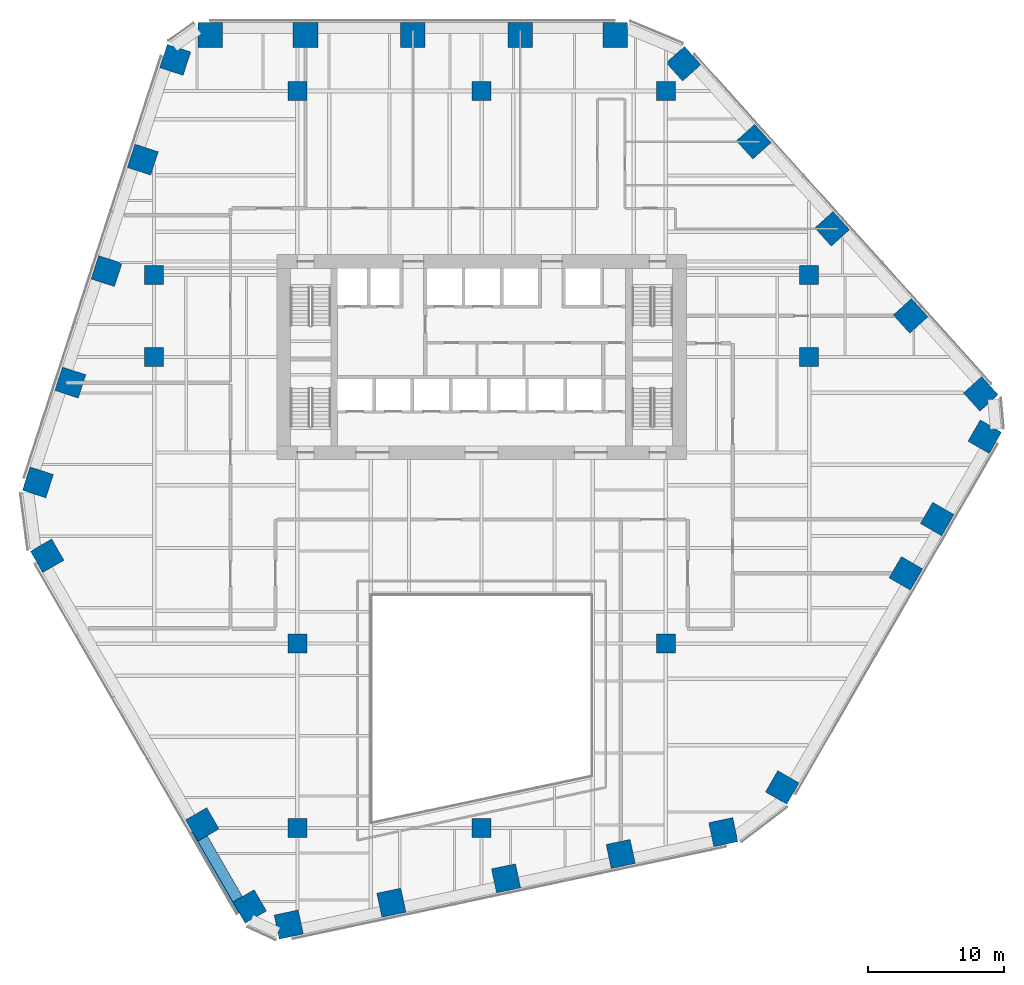
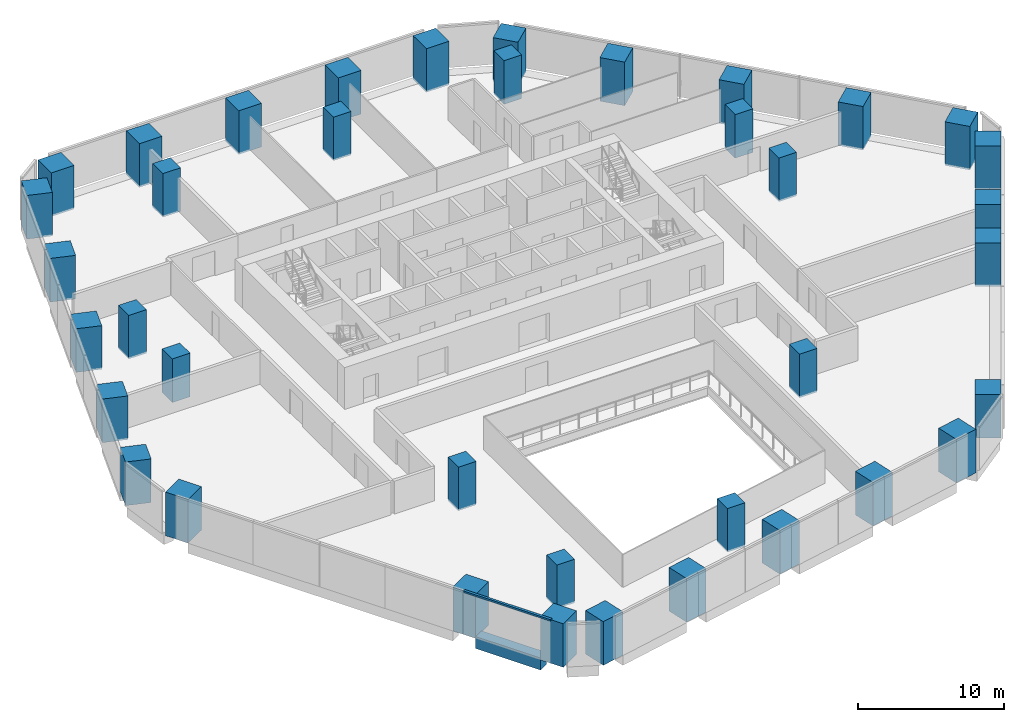
# One storey, part 1 of 20: 38 columns, 1 beam, 1 member, 1 element without a shape of its own.
"""IFC4 building model written with IfcOpenShell, lengths in metres."""

from ifc_helpers import new_model, si_unit, direction, frame, origin, origin_2d, place, context, subcontext, project, spatial, rectangle, extrude, material, layer, layer_set, material_profile, profile_set, type_object, element, aggregate, save


model = new_model("IFC4")

# Units and contexts
model_context = context("Model", 3, precision=1e-05, world=origin(), true_north=direction((0.0, 1.0)))
body_context = subcontext(model_context, "Body", "Model", "MODEL_VIEW")
ifc_project = project(units=[si_unit("LENGTHUNIT", "METRE"), si_unit("AREAUNIT", "SQUARE_METRE"), si_unit("VOLUMEUNIT", "CUBIC_METRE"), si_unit("PLANEANGLEUNIT", "RADIAN"), si_unit("MASSUNIT", "GRAM", prefix="KILO")], contexts=[model_context])

# Site, building, storey
site_placement = place(None, origin())
site = spatial("IfcSite", under=ifc_project, at=site_placement, CompositionType="ELEMENT")
building_placement = place(site_placement, origin())
building = spatial("IfcBuilding", under=site, at=building_placement, Name="Isthmus Gate Tower", CompositionType="ELEMENT")
storey_placement = place(building_placement, frame((0.0, 0.0, 43.300048828125)))
storey = spatial("IfcBuildingStorey", under=building, at=storey_placement, Name="L08", CompositionType="ELEMENT", Elevation=43.300048828125)

# Columns
ifc_material_1 = material(Name="Concrete f'c 70 MPa", Category="concrete")
ifc_material_profile_1 = material_profile(ifc_material_1, rectangle(XDim=1.39990234375, YDim=1.39990234375, at=origin_2d()), Name="RC 1400X1400")
ifc_profile_set_1 = profile_set([ifc_material_profile_1], Name="Concrete f'c 70 MPa")
column_type_1 = type_object("IfcColumnType", Name="RC INTERIOR COLUMN 1400 X 1400", PredefinedType="COLUMN", material=ifc_profile_set_1)
for number, where, z_axis, x_axis, name in (
    (1, (-24.0, 7.5, -0.150146484375), (0.0, 0.0, 1.0), (1.0, 0.0, 0.0), "str-icol-L08-ICA3"),
    (2, (-24.0, 13.5, -0.150146484375), (0.0, 0.0, 1.0), (1.0, 0.0, 0.0), "str-icol-L08-ICA4"),
    (3, (-13.5, -27.0, -0.150146484375), (0.0, 0.0, 1.0), (1.0, 0.0, 0.0), "str-icol-L08-ICB1"),
    (4, (-13.5, -13.5, -0.150146484375), (0.0, 0.0, 1.0), (1.0, 0.0, 0.0), "str-icol-L08-ICB2"),
    (5, (-13.5, 27.0, -0.150146484375), (0.0, 0.0, 1.0), (1.0, 0.0, 0.0), "str-icol-L08-ICB5"),
    (6, (0.0, -27.0, -0.150146484375), (0.0, 0.0, 1.0), (1.0, 0.0, 0.0), "str-icol-L08-ICC1"),
    (7, (0.0, 27.0, -0.150146484375), (0.0, 0.0, 1.0), (1.0, 0.0, 0.0), "str-icol-L08-ICC5"),
    (8, (13.5, -13.5, -0.150146484375), (0.0, 0.0, 1.0), (1.0, 0.0, 0.0), "str-icol-L08-ICD2"),
    (9, (13.5, 27.0, -0.150146484375), (0.0, 0.0, 1.0), (1.0, 0.0, 0.0), "str-icol-L08-ICD5"),
    (10, (24.0, 7.5, -0.150146484375), (0.0, 0.0, 1.0), (1.0, 0.0, 0.0), "str-icol-L08-ICE3"),
    (11, (24.0, 13.5, -0.150146484375), (0.0, 0.0, 1.0), (1.0, 0.0, 0.0), "str-icol-L08-ICE4"),
):
    element("IfcColumn", number, at=place(storey_placement, frame(where, z_axis=z_axis, x_axis=x_axis)), inside=storey, type_object=column_type_1, Name=name, PredefinedType="COLUMN", context=body_context, shape_type="SweptSolid", body=[
        extrude(rectangle(XDim=1.39990234375, YDim=1.39990234375, at=origin_2d()), origin(), (0.0, 0.0, 1.0), 3.650146484375),
    ])
ifc_material_2 = material(Name="Concrete f'c 70 MPa", Category="concrete")
ifc_material_profile_2 = material_profile(ifc_material_2, rectangle(XDim=1.800048828125, YDim=1.800048828125, at=origin_2d()), Name="RC 1800X1800")
ifc_profile_set_2 = profile_set([ifc_material_profile_2], Name="Concrete f'c 70 MPa")
column_type_2 = type_object("IfcColumnType", Name="RC TUBE COLUMN 1800 X 1800", PredefinedType="COLUMN", material=ifc_profile_set_2)
for number, where, z_axis, x_axis, name in (
    (12, (9.8017578125, 31.10009765625, -0.150146484375), (0.0, 0.0, 1.0), (-1.0, 0.0, 0.0), "str-tcol-L08-T1N0"),
    (13, (2.832275390625, 31.10009765625, -0.150146484375), (0.0, 0.0, 1.0), (-1.0, 0.0, 0.0), "str-tcol-L08-T1N1"),
    (14, (-5.037109375, 31.10009765625, -0.150146484375), (0.0, 0.0, 1.0), (-1.0, 0.0, 0.0), "str-tcol-L08-T1N2"),
    (15, (-12.90673828125, 31.10009765625, -0.150146484375), (0.0, 0.0, 1.0), (-1.0, 0.0, 0.0), "str-tcol-L08-T1N3"),
    (16, (-19.876220703125, 31.10009765625, -0.150146484375), (0.0, 0.0, 1.0), (-1.0, 0.0, 0.0), "str-tcol-L08-T1N4"),
    (17, (-22.451171875, 29.281005859375, -0.150146484375), (0.0, 0.0, 1.0), (-0.309016994375, -0.951056516295, 0.0), "str-tcol-L08-T1NW0"),
    (18, (-24.827392578125, 21.9677734375, -0.150146484375), (0.0, 0.0, 1.0), (-0.309016994375, -0.951056516295, 0.0), "str-tcol-L08-T1NW1"),
    (19, (-27.481689453125, 13.798828125, -0.150146484375), (0.0, 0.0, 1.0), (-0.309016994375, -0.951056516295, 0.0), "str-tcol-L08-T1NW2"),
    (20, (-30.135986328125, 5.6298828125, -0.150146484375), (0.0, 0.0, 1.0), (-0.309016994375, -0.951056516295, 0.0), "str-tcol-L08-T1NW3"),
    (21, (-32.511962890625, -1.68310546875, -0.150146484375), (0.0, 0.0, 1.0), (-0.309016994375, -0.951056516295, 0.0), "str-tcol-L08-T1NW4"),
    (22, (-31.834228515625, -7.061279296875, -0.150146484375), (0.0, 0.0, 1.0), (0.5, -0.866025403784, 0.0), "str-tcol-L08-T1SW0"),
    (23, (-20.467041015625, -26.75, -0.150146484375), (0.0, 0.0, 1.0), (0.5, -0.866025403784, 0.0), "str-tcol-L08-T1SW2"),
    (24, (-16.995361328125, -32.763427734375, -0.150146484375), (0.0, 0.0, 1.0), (0.5, -0.866025403784, 0.0), "str-tcol-L08-T1SW3"),
    (25, (-14.13232421875, -34.083740234375, -0.150146484375), (0.0, 0.0, 1.0), (0.978147600734, 0.207911690818, 0.0), "str-tcol-L08-T1S0"),
    (26, (-6.611083984375, -32.485107421875, -0.150146484375), (0.0, 0.0, 1.0), (0.978147600734, 0.207911690818, 0.0), "str-tcol-L08-T1S1"),
    (27, (1.79052734375, -30.69921875, -0.150146484375), (0.0, 0.0, 1.0), (0.978147600734, 0.207911690818, 0.0), "str-tcol-L08-T1S2"),
    (28, (10.192138671875, -28.91357421875, -0.150146484375), (0.0, 0.0, 1.0), (0.978147600734, 0.207911690818, 0.0), "str-tcol-L08-T1S3"),
    (29, (17.713623046875, -27.314697265625, -0.150146484375), (0.0, 0.0, 1.0), (0.978147600734, 0.207911690818, 0.0), "str-tcol-L08-T1S4"),
    (30, (22.032470703125, -24.03857421875, -0.150146484375), (0.0, 0.0, 1.0), (0.5, 0.866025403784, 0.0), "str-tcol-L08-T1SE0"),
    (31, (31.09033203125, -8.35009765625, -0.150146484375), (0.0, 0.0, 1.0), (0.5, 0.866025403784, 0.0), "str-tcol-L08-T1SE1"),
    (32, (33.38671875, -4.37255859375, -0.150146484375), (0.0, 0.0, 1.0), (0.5, 0.866025403784, 0.0), "str-tcol-L08-T1SE2"),
    (33, (36.87158203125, 1.663330078125, -0.150146484375), (0.0, 0.0, 1.0), (0.5, 0.866025403784, 0.0), "str-tcol-L08-T1SE3"),
    (34, (36.583740234375, 4.802978515625, -0.150146484375), (0.0, 0.0, 1.0), (-0.669130606359, 0.743144825477, 0.0), "str-tcol-L08-T1NE0"),
    (35, (31.4384765625, 10.517333984375, -0.150146484375), (0.0, 0.0, 1.0), (-0.669130606359, 0.743144825477, 0.0), "str-tcol-L08-T1NE1"),
    (36, (25.691162109375, 16.900390625, -0.150146484375), (0.0, 0.0, 1.0), (-0.669130606359, 0.743144825477, 0.0), "str-tcol-L08-T1NE2"),
    (37, (19.943603515625, 23.283447265625, -0.150146484375), (0.0, 0.0, 1.0), (-0.669130606359, 0.743144825477, 0.0), "str-tcol-L08-T1NE3"),
    (38, (14.798583984375, 28.997802734375, -0.150146484375), (0.0, 0.0, 1.0), (-0.669130606359, 0.743144825477, 0.0), "str-tcol-L08-T1NE4"),
):
    element("IfcColumn", number, at=place(storey_placement, frame(where, z_axis=z_axis, x_axis=x_axis)), inside=storey, type_object=column_type_2, Name=name, PredefinedType="COLUMN", context=body_context, shape_type="SweptSolid", body=[
        extrude(rectangle(XDim=1.800048828125, YDim=1.800048828125, at=origin_2d()), origin(), (0.0, 0.0, 1.0), 3.650146484375),
    ])

# Curtain wall, member
ifc_material_3 = material(Name="Aluminium, pale champagne anodised", Category="aluminium")
ifc_layer = layer(ifc_material_3, 0.199951171875)
ifc_layer_set = layer_set([ifc_layer], Name="CW-1 UNITISED CURTAIN WALL 200 DEEP")
curtain_wall_type = type_object("IfcCurtainWallType", Name="CW-1 UNITISED CURTAIN WALL 200 DEEP", PredefinedType="NOTDEFINED", material=ifc_layer_set)
curtain_wall_placement = place(storey_placement, origin())
curtain_wall = element("IfcCurtainWall", 39, at=curtain_wall_placement, inside=storey, type_object=curtain_wall_type, Name="CW-1 SW L08", PredefinedType="NOTDEFINED")
ifc_material_4 = material(Name="Aluminium, pale champagne anodised", Category="aluminium")
ifc_material_profile_3 = material_profile(ifc_material_4, rectangle(XDim=0.199951171875, YDim=0.14990234375, at=origin_2d()), Name="200x150")
ifc_profile_set_3 = profile_set([ifc_material_profile_3], Name="Aluminium, pale champagne anodised")
member_type = type_object("IfcMemberType", Name="CW-1 TRANSOM 200 X 150", PredefinedType="USERDEFINED", material=ifc_profile_set_3)
member_placement = place(storey_placement, frame((-21.302978515625, -27.302001953125, 3.574951171875), z_axis=(0.499980345582, -0.86603675097, 0.0), x_axis=(0.86603675097, 0.499980345582, 0.0)))
member = element("IfcMember", 40, at=member_placement, type_object=member_type, Name="CW-1 transom", ObjectType="TRANSOM", PredefinedType="USERDEFINED", context=body_context, shape_type="SweptSolid", body=[
    extrude(rectangle(XDim=0.199951171875, YDim=0.14990234375, at=origin_2d()), origin(), (0.0, 0.0, 1.0), 6.883544921875),
])
aggregate(curtain_wall, [member])

# Beam
ifc_material_5 = material(Name="Concrete f'c 70 MPa", Category="concrete")
ifc_material_profile_4 = material_profile(ifc_material_5, rectangle(XDim=0.800048828125, YDim=1.0, at=origin_2d()), Name="RC 800X1000")
ifc_profile_set_4 = profile_set([ifc_material_profile_4], Name="Concrete f'c 70 MPa")
beam_type = type_object("IfcBeamType", Name="RC SPANDREL 800 X 1000", PredefinedType="SPANDREL", material=ifc_profile_set_4)
beam_placement = place(storey_placement, frame((-17.878173828125, -32.23388671875, -0.5), z_axis=(-0.500044296292, 0.865999827798, 0.0), x_axis=(-0.865999827798, -0.500044296292, 0.0)))
element("IfcBeam", 41, at=beam_placement, inside=storey, type_object=beam_type, Name="str-spandrel-L08-15", PredefinedType="SPANDREL", context=body_context, shape_type="SweptSolid", body=[
    extrude(rectangle(XDim=0.800048828125, YDim=1.0, at=origin_2d()), origin(), (0.0, 0.0, 1.0), 5.1435546875),
])

save(model, "model.ifc")
